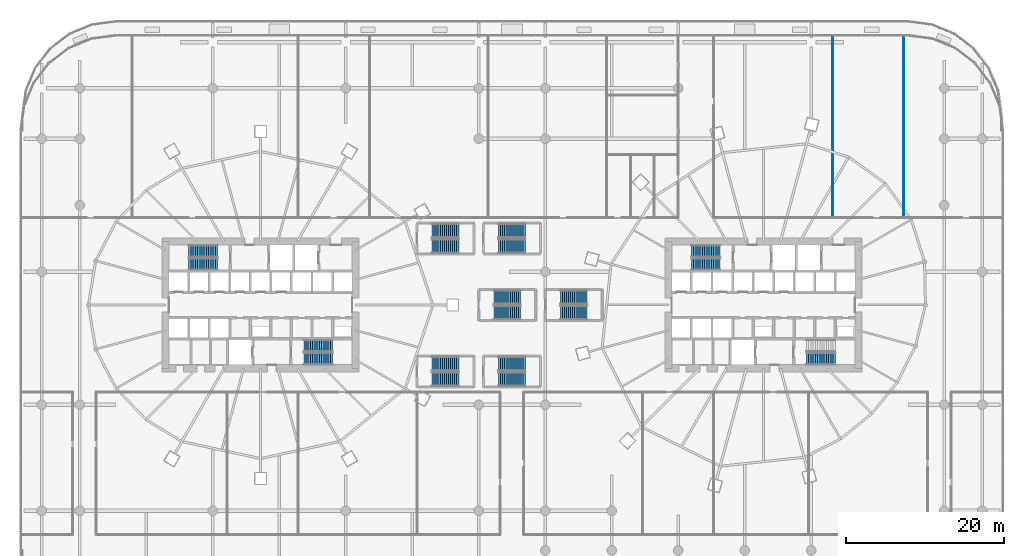
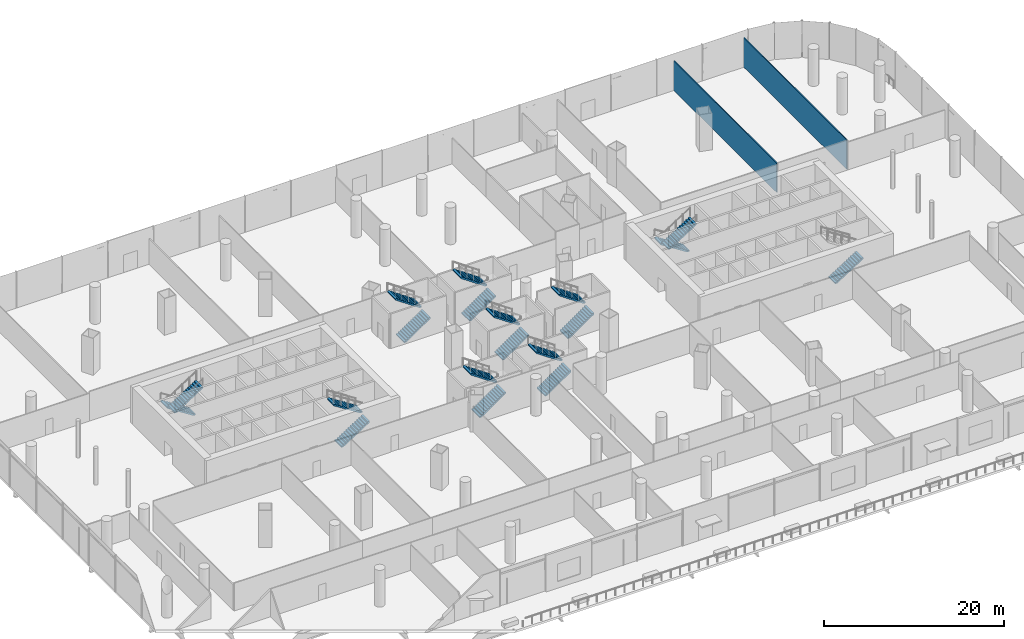
# One storey, part 42 of 51: 19 stair flights, 2 walls, 10 elements without a shape of their own.
"""IFC4 building model written with IfcOpenShell, lengths in metres."""

from ifc_helpers import new_model, si_unit, direction, frame, frame_2d, origin, place, context, subcontext, project, spatial, polyline, rectangle, outline, extrude, material, layer, layer_set, type_object, element, aggregate, save


model = new_model("IFC4")

# Units and contexts
model_context = context("Model", 3, precision=1e-05, world=origin(), true_north=direction((0.0, 1.0)))
body_context = subcontext(model_context, "Body", "Model", "MODEL_VIEW")
ifc_project = project(units=[si_unit("LENGTHUNIT", "METRE"), si_unit("AREAUNIT", "SQUARE_METRE"), si_unit("VOLUMEUNIT", "CUBIC_METRE"), si_unit("PLANEANGLEUNIT", "RADIAN"), si_unit("MASSUNIT", "GRAM", prefix="KILO")], contexts=[model_context])

# Site, building, storey
site_placement = place(None, origin())
site = spatial("IfcSite", under=ifc_project, at=site_placement, CompositionType="ELEMENT")
building_placement = place(site_placement, origin())
building = spatial("IfcBuilding", under=site, at=building_placement, Name="Rimbun Link Towers", CompositionType="ELEMENT")
storey_placement = place(building_placement, frame((0.0, 0.0, 7.0)))
storey = spatial("IfcBuildingStorey", under=building, at=storey_placement, Name="L01", CompositionType="ELEMENT", Elevation=7.0)

# Walls
ifc_material_1 = material(Name="Gypsum board on steel studs", Category="steel")
ifc_layer = layer(ifc_material_1, 0.125)
ifc_layer_set = layer_set([ifc_layer], Name="Partition 125 board on studs")
wall_type = type_object("IfcWallType", Name="Partition 125 board on studs", PredefinedType="PARTITIONING", material=ifc_layer_set)
for number, where, z_axis, x_axis, name in (
    (1, (40.5, 11.0625, 0.0), (0.0, 0.0, 1.0), (0.0, 1.0, 0.0), "PD/PW/L01/104"),
    (2, (49.5, 11.0625, 0.0), (0.0, 0.0, 1.0), (0.0, 1.0, 0.0), "PD/PW/L01/105"),
):
    element("IfcWall", number, at=place(storey_placement, frame(where, z_axis=z_axis, x_axis=x_axis)), inside=storey, type_object=wall_type, Name=name, PredefinedType="PARTITIONING", context=body_context, shape_type="SweptSolid", body=[
        extrude(rectangle(XDim=23.017578125, YDim=0.125, at=frame_2d((11.5087890625, 0.0))), origin(), (0.0, 0.0, 1.0), 3.99609375),
    ])

# Stair, stair flights
ifc_material_2 = material(Name="Concrete C40/50", Category="concrete")
stair_type_1 = type_object("IfcStairType", Name="Exit stair 5000 rise", PredefinedType="HALF_TURN_STAIR", material=ifc_material_2)
stair_1_placement = place(storey_placement, origin())
stair_1 = element("IfcStair", 3, at=stair_1_placement, inside=storey, type_object=stair_type_1, Name="L01 EXIT STAIR A", PredefinedType="HALF_TURN_STAIR")
ifc_material_3 = material(Name="Concrete C40/50", Category="concrete")
stair_flight_type_1 = type_object("IfcStairFlightType", Name="Exit stair flight 5000 rise", PredefinedType="STRAIGHT", material=ifc_material_3)
stair_flight_1_placement = place(storey_placement, frame((-37.199951171875, 6.800048828125, 0.0), z_axis=(0.0, 0.0, 1.0), x_axis=(-1.0, 0.0, 0.0)))
stair_flight_1 = element("IfcStairFlight", 4, at=stair_flight_1_placement, type_object=stair_flight_type_1, Name="ST1 flight 1", NumberOfRisers=14, NumberOfTreads=13, PredefinedType="STRAIGHT", RiserHeight=0.178571429, TreadLength=0.28, context=body_context, shape_type="SweptSolid", body=[
    extrude(outline(polyline([(0.0, 0.0), (0.0, 0.178466796875), (0.280029296875, 0.178466796875), (0.280029296875, 0.357177734375), (0.56005859375, 0.357177734375), (0.56005859375, 0.53564453125), (0.840087890625, 0.53564453125), (0.840087890625, 0.71435546875), (1.1201171875, 0.71435546875), (1.1201171875, 0.892822265625), (1.39990234375, 0.892822265625), (1.39990234375, 1.071533203125), (1.679931640625, 1.071533203125), (1.679931640625, 1.25), (1.9599609375, 1.25), (1.9599609375, 1.428466796875), (2.239990234375, 1.428466796875), (2.239990234375, 1.607177734375), (2.52001953125, 1.607177734375), (2.52001953125, 1.78564453125), (2.800048828125, 1.78564453125), (2.800048828125, 1.96435546875), (3.080078125, 1.96435546875), (3.080078125, 2.142822265625), (3.360107421875, 2.142822265625), (3.360107421875, 2.321533203125), (3.639892578125, 2.321533203125), (3.639892578125, 2.5), (3.639892578125, 2.1435546875), (0.280029296875, 0.0), (0.0, 0.0)])), frame((0.0, 0.75, 0.0), z_axis=(0.0, -1.0, 0.0), x_axis=(1.0, 0.0, 0.0)), (0.0, 0.0, 1.0), 1.5),
])
stair_flight_2_placement = place(storey_placement, frame((-40.840087890625, 5.14990234375, 2.5), z_axis=(0.0, 0.0, 1.0), x_axis=(1.0, 0.0, 0.0)))
stair_flight_2 = element("IfcStairFlight", 5, at=stair_flight_2_placement, type_object=stair_flight_type_1, Name="ST1 flight 2", NumberOfRisers=14, NumberOfTreads=13, PredefinedType="STRAIGHT", RiserHeight=0.178571429, TreadLength=0.28, context=body_context, shape_type="SweptSolid", body=[
    extrude(outline(polyline([(0.0, 0.0), (0.0, 0.178466796875), (0.280029296875, 0.178466796875), (0.280029296875, 0.357177734375), (0.56005859375, 0.357177734375), (0.56005859375, 0.53564453125), (0.840087890625, 0.53564453125), (0.840087890625, 0.71435546875), (1.1201171875, 0.71435546875), (1.1201171875, 0.892822265625), (1.39990234375, 0.892822265625), (1.39990234375, 1.071533203125), (1.679931640625, 1.071533203125), (1.679931640625, 1.25), (1.9599609375, 1.25), (1.9599609375, 1.428466796875), (2.239990234375, 1.428466796875), (2.239990234375, 1.607177734375), (2.52001953125, 1.607177734375), (2.52001953125, 1.78564453125), (2.800048828125, 1.78564453125), (2.800048828125, 1.96435546875), (3.080078125, 1.96435546875), (3.080078125, 2.142822265625), (3.360107421875, 2.142822265625), (3.360107421875, 2.321533203125), (3.639892578125, 2.321533203125), (3.639892578125, 2.5), (3.639892578125, 2.1435546875), (0.280029296875, 0.0), (0.0, 0.0)])), frame((0.0, 0.75, 0.0), z_axis=(0.0, -1.0, 0.0), x_axis=(1.0, 0.0, 0.0)), (0.0, 0.0, 1.0), 1.5),
])
aggregate(stair_1, [stair_flight_1, stair_flight_2])

stair_2_placement = place(storey_placement, origin())
stair_2 = element("IfcStair", 6, at=stair_2_placement, inside=storey, type_object=stair_type_1, Name="L01 EXIT STAIR B", PredefinedType="HALF_TURN_STAIR")
stair_flight_3_placement = place(storey_placement, frame((-26.300048828125, -6.800048828125, 0.0), z_axis=(0.0, 0.0, 1.0), x_axis=(1.0, 0.0, 0.0)))
stair_flight_3 = element("IfcStairFlight", 7, at=stair_flight_3_placement, type_object=stair_flight_type_1, Name="ST2 flight 1", NumberOfRisers=14, NumberOfTreads=13, PredefinedType="STRAIGHT", RiserHeight=0.178571429, TreadLength=0.28, context=body_context, shape_type="SweptSolid", body=[
    extrude(outline(polyline([(0.0, 0.0), (0.0, 0.178466796875), (0.280029296875, 0.178466796875), (0.280029296875, 0.357177734375), (0.56005859375, 0.357177734375), (0.56005859375, 0.53564453125), (0.840087890625, 0.53564453125), (0.840087890625, 0.71435546875), (1.1201171875, 0.71435546875), (1.1201171875, 0.892822265625), (1.39990234375, 0.892822265625), (1.39990234375, 1.071533203125), (1.679931640625, 1.071533203125), (1.679931640625, 1.25), (1.9599609375, 1.25), (1.9599609375, 1.428466796875), (2.239990234375, 1.428466796875), (2.239990234375, 1.607177734375), (2.52001953125, 1.607177734375), (2.52001953125, 1.78564453125), (2.800048828125, 1.78564453125), (2.800048828125, 1.96435546875), (3.080078125, 1.96435546875), (3.080078125, 2.142822265625), (3.360107421875, 2.142822265625), (3.360107421875, 2.321533203125), (3.639892578125, 2.321533203125), (3.639892578125, 2.5), (3.639892578125, 2.1435546875), (0.280029296875, 0.0), (0.0, 0.0)])), frame((0.0, 0.75, 0.0), z_axis=(0.0, -1.0, 0.0), x_axis=(1.0, 0.0, 0.0)), (0.0, 0.0, 1.0), 1.5),
])
stair_flight_4_placement = place(storey_placement, frame((-22.659912109375, -5.14990234375, 2.5), z_axis=(0.0, 0.0, 1.0), x_axis=(-1.0, 0.0, 0.0)))
stair_flight_4 = element("IfcStairFlight", 8, at=stair_flight_4_placement, type_object=stair_flight_type_1, Name="ST2 flight 2", NumberOfRisers=14, NumberOfTreads=13, PredefinedType="STRAIGHT", RiserHeight=0.178571429, TreadLength=0.28, context=body_context, shape_type="SweptSolid", body=[
    extrude(outline(polyline([(0.0, 0.0), (0.0, 0.178466796875), (0.280029296875, 0.178466796875), (0.280029296875, 0.357177734375), (0.56005859375, 0.357177734375), (0.56005859375, 0.53564453125), (0.840087890625, 0.53564453125), (0.840087890625, 0.71435546875), (1.1201171875, 0.71435546875), (1.1201171875, 0.892822265625), (1.39990234375, 0.892822265625), (1.39990234375, 1.071533203125), (1.679931640625, 1.071533203125), (1.679931640625, 1.25), (1.9599609375, 1.25), (1.9599609375, 1.428466796875), (2.239990234375, 1.428466796875), (2.239990234375, 1.607177734375), (2.52001953125, 1.607177734375), (2.52001953125, 1.78564453125), (2.800048828125, 1.78564453125), (2.800048828125, 1.96435546875), (3.080078125, 1.96435546875), (3.080078125, 2.142822265625), (3.360107421875, 2.142822265625), (3.360107421875, 2.321533203125), (3.639892578125, 2.321533203125), (3.639892578125, 2.5), (3.639892578125, 2.1435546875), (0.280029296875, 0.0), (0.0, 0.0)])), frame((0.0, 0.75, 0.0), z_axis=(0.0, -1.0, 0.0), x_axis=(1.0, 0.0, 0.0)), (0.0, 0.0, 1.0), 1.5),
])
aggregate(stair_2, [stair_flight_3, stair_flight_4])

stair_3_placement = place(storey_placement, origin())
stair_3 = element("IfcStair", 9, at=stair_3_placement, inside=storey, type_object=stair_type_1, Name="L01 EXIT STAIR A", PredefinedType="HALF_TURN_STAIR")
stair_flight_5_placement = place(storey_placement, frame((26.300048828125, 6.800048828125, 0.0), z_axis=(0.0, 0.0, 1.0), x_axis=(-1.0, 0.0, 0.0)))
stair_flight_5 = element("IfcStairFlight", 10, at=stair_flight_5_placement, type_object=stair_flight_type_1, Name="ST3 flight 1", NumberOfRisers=14, NumberOfTreads=13, PredefinedType="STRAIGHT", RiserHeight=0.178571429, TreadLength=0.28, context=body_context, shape_type="SweptSolid", body=[
    extrude(outline(polyline([(0.0, 0.0), (0.0, 0.178466796875), (0.280029296875, 0.178466796875), (0.280029296875, 0.357177734375), (0.56005859375, 0.357177734375), (0.56005859375, 0.53564453125), (0.840087890625, 0.53564453125), (0.840087890625, 0.71435546875), (1.1201171875, 0.71435546875), (1.1201171875, 0.892822265625), (1.39990234375, 0.892822265625), (1.39990234375, 1.071533203125), (1.679931640625, 1.071533203125), (1.679931640625, 1.25), (1.9599609375, 1.25), (1.9599609375, 1.428466796875), (2.239990234375, 1.428466796875), (2.239990234375, 1.607177734375), (2.52001953125, 1.607177734375), (2.52001953125, 1.78564453125), (2.800048828125, 1.78564453125), (2.800048828125, 1.96435546875), (3.080078125, 1.96435546875), (3.080078125, 2.142822265625), (3.360107421875, 2.142822265625), (3.360107421875, 2.321533203125), (3.639892578125, 2.321533203125), (3.639892578125, 2.5), (3.639892578125, 2.1435546875), (0.280029296875, 0.0), (0.0, 0.0)])), frame((0.0, 0.75, 0.0), z_axis=(0.0, -1.0, 0.0), x_axis=(1.0, 0.0, 0.0)), (0.0, 0.0, 1.0), 1.5),
])
stair_flight_6_placement = place(storey_placement, frame((22.659912109375, 5.14990234375, 2.5), z_axis=(0.0, 0.0, 1.0), x_axis=(1.0, 0.0, 0.0)))
stair_flight_6 = element("IfcStairFlight", 11, at=stair_flight_6_placement, type_object=stair_flight_type_1, Name="ST3 flight 2", NumberOfRisers=14, NumberOfTreads=13, PredefinedType="STRAIGHT", RiserHeight=0.178571429, TreadLength=0.28, context=body_context, shape_type="SweptSolid", body=[
    extrude(outline(polyline([(0.0, 0.0), (0.0, 0.178466796875), (0.280029296875, 0.178466796875), (0.280029296875, 0.357177734375), (0.56005859375, 0.357177734375), (0.56005859375, 0.53564453125), (0.840087890625, 0.53564453125), (0.840087890625, 0.71435546875), (1.1201171875, 0.71435546875), (1.1201171875, 0.892822265625), (1.39990234375, 0.892822265625), (1.39990234375, 1.071533203125), (1.679931640625, 1.071533203125), (1.679931640625, 1.25), (1.9599609375, 1.25), (1.9599609375, 1.428466796875), (2.239990234375, 1.428466796875), (2.239990234375, 1.607177734375), (2.52001953125, 1.607177734375), (2.52001953125, 1.78564453125), (2.800048828125, 1.78564453125), (2.800048828125, 1.96435546875), (3.080078125, 1.96435546875), (3.080078125, 2.142822265625), (3.360107421875, 2.142822265625), (3.360107421875, 2.321533203125), (3.639892578125, 2.321533203125), (3.639892578125, 2.5), (3.639892578125, 2.1435546875), (0.280029296875, 0.0), (0.0, 0.0)])), frame((0.0, 0.75, 0.0), z_axis=(0.0, -1.0, 0.0), x_axis=(1.0, 0.0, 0.0)), (0.0, 0.0, 1.0), 1.5),
])
aggregate(stair_3, [stair_flight_5, stair_flight_6])

# Stair, stair flight
stair_4_placement = place(storey_placement, origin())
stair_4 = element("IfcStair", 12, at=stair_4_placement, inside=storey, type_object=stair_type_1, Name="L01 EXIT STAIR B", PredefinedType="HALF_TURN_STAIR")
stair_flight_7_placement = place(storey_placement, frame((37.199951171875, -6.800048828125, 0.0), z_axis=(0.0, 0.0, 1.0), x_axis=(1.0, 0.0, 0.0)))
stair_flight_7 = element("IfcStairFlight", 13, at=stair_flight_7_placement, type_object=stair_flight_type_1, Name="ST4 flight 1", NumberOfRisers=14, NumberOfTreads=13, PredefinedType="STRAIGHT", RiserHeight=0.178571429, TreadLength=0.28, context=body_context, shape_type="SweptSolid", body=[
    extrude(outline(polyline([(0.0, 0.0), (0.0, 0.178466796875), (0.280029296875, 0.178466796875), (0.280029296875, 0.357177734375), (0.56005859375, 0.357177734375), (0.56005859375, 0.53564453125), (0.840087890625, 0.53564453125), (0.840087890625, 0.71435546875), (1.1201171875, 0.71435546875), (1.1201171875, 0.892822265625), (1.39990234375, 0.892822265625), (1.39990234375, 1.071533203125), (1.679931640625, 1.071533203125), (1.679931640625, 1.25), (1.9599609375, 1.25), (1.9599609375, 1.428466796875), (2.239990234375, 1.428466796875), (2.239990234375, 1.607177734375), (2.52001953125, 1.607177734375), (2.52001953125, 1.78564453125), (2.800048828125, 1.78564453125), (2.800048828125, 1.96435546875), (3.080078125, 1.96435546875), (3.080078125, 2.142822265625), (3.360107421875, 2.142822265625), (3.360107421875, 2.321533203125), (3.639892578125, 2.321533203125), (3.639892578125, 2.5), (3.639892578125, 2.1435546875), (0.280029296875, 0.0), (0.0, 0.0)])), frame((0.0, 0.75, 0.0), z_axis=(0.0, -1.0, 0.0), x_axis=(1.0, 0.0, 0.0)), (0.0, 0.0, 1.0), 1.5),
])
aggregate(stair_4, [stair_flight_7])

# Stair, stair flights
ifc_material_4 = material(Name="Concrete C40/50", Category="concrete")
stair_type_2 = type_object("IfcStairType", Name="Podium exit stair 1800", PredefinedType="HALF_TURN_STAIR", material=ifc_material_4)
stair_5_placement = place(storey_placement, origin())
stair_5 = element("IfcStair", 14, at=stair_5_placement, inside=storey, type_object=stair_type_2, Name="L01 PODIUM EXIT STAIR", PredefinedType="HALF_TURN_STAIR")
ifc_material_5 = material(Name="Concrete C40/50", Category="concrete")
stair_flight_type_2 = type_object("IfcStairFlightType", Name="Podium exit stair flight 1800", PredefinedType="STRAIGHT", material=ifc_material_5)
stair_flight_8_placement = place(storey_placement, frame((-10.10009765625, -9.375, 0.0), z_axis=(0.0, 0.0, 1.0), x_axis=(1.0, 0.0, 0.0)))
stair_flight_8 = element("IfcStairFlight", 15, at=stair_flight_8_placement, type_object=stair_flight_type_2, Name="PS1 flight 1", NumberOfRisers=14, NumberOfTreads=13, PredefinedType="STRAIGHT", RiserHeight=0.178571429, TreadLength=0.26, context=body_context, shape_type="SweptSolid", body=[
    extrude(outline(polyline([(0.0, 0.0), (0.0, 0.178466796875), (0.260009765625, 0.178466796875), (0.260009765625, 0.357177734375), (0.52001953125, 0.357177734375), (0.52001953125, 0.53564453125), (0.780029296875, 0.53564453125), (0.780029296875, 0.71435546875), (1.0400390625, 0.71435546875), (1.0400390625, 0.892822265625), (1.300048828125, 0.892822265625), (1.300048828125, 1.071533203125), (1.56005859375, 1.071533203125), (1.56005859375, 1.25), (1.820068359375, 1.25), (1.820068359375, 1.428466796875), (2.080078125, 1.428466796875), (2.080078125, 1.607177734375), (2.340087890625, 1.607177734375), (2.340087890625, 1.78564453125), (2.60009765625, 1.78564453125), (2.60009765625, 1.96435546875), (2.860107421875, 1.96435546875), (2.860107421875, 2.142822265625), (3.1201171875, 2.142822265625), (3.1201171875, 2.321533203125), (3.3798828125, 2.321533203125), (3.3798828125, 2.5), (3.3798828125, 2.1396484375), (0.260009765625, 0.0), (0.0, 0.0)])), frame((0.0, 0.89990234375, 0.0), z_axis=(0.0, -1.0, 0.0), x_axis=(1.0, 0.0, 0.0)), (0.0, 0.0, 1.0), 1.800048828125),
])
stair_flight_9_placement = place(storey_placement, frame((-6.719970703125, -7.425048828125, 2.5), z_axis=(0.0, 0.0, 1.0), x_axis=(-1.0, 0.0, 0.0)))
stair_flight_9 = element("IfcStairFlight", 16, at=stair_flight_9_placement, type_object=stair_flight_type_2, Name="PS1 flight 2", NumberOfRisers=14, NumberOfTreads=13, PredefinedType="STRAIGHT", RiserHeight=0.178571429, TreadLength=0.26, context=body_context, shape_type="SweptSolid", body=[
    extrude(outline(polyline([(0.0, 0.0), (0.0, 0.178466796875), (0.260009765625, 0.178466796875), (0.260009765625, 0.357177734375), (0.52001953125, 0.357177734375), (0.52001953125, 0.53564453125), (0.780029296875, 0.53564453125), (0.780029296875, 0.71435546875), (1.0400390625, 0.71435546875), (1.0400390625, 0.892822265625), (1.300048828125, 0.892822265625), (1.300048828125, 1.071533203125), (1.56005859375, 1.071533203125), (1.56005859375, 1.25), (1.820068359375, 1.25), (1.820068359375, 1.428466796875), (2.080078125, 1.428466796875), (2.080078125, 1.607177734375), (2.340087890625, 1.607177734375), (2.340087890625, 1.78564453125), (2.60009765625, 1.78564453125), (2.60009765625, 1.96435546875), (2.860107421875, 1.96435546875), (2.860107421875, 2.142822265625), (3.1201171875, 2.142822265625), (3.1201171875, 2.321533203125), (3.3798828125, 2.321533203125), (3.3798828125, 2.5), (3.3798828125, 2.1396484375), (0.260009765625, 0.0), (0.0, 0.0)])), frame((0.0, 0.89990234375, 0.0), z_axis=(0.0, -1.0, 0.0), x_axis=(1.0, 0.0, 0.0)), (0.0, 0.0, 1.0), 1.800048828125),
])
aggregate(stair_5, [stair_flight_8, stair_flight_9])

stair_6_placement = place(storey_placement, origin())
stair_6 = element("IfcStair", 17, at=stair_6_placement, inside=storey, type_object=stair_type_2, Name="L01 PODIUM EXIT STAIR", PredefinedType="HALF_TURN_STAIR")
stair_flight_10_placement = place(storey_placement, frame((-1.699951171875, -9.375, 0.0), z_axis=(0.0, 0.0, 1.0), x_axis=(1.0, 0.0, 0.0)))
stair_flight_10 = element("IfcStairFlight", 18, at=stair_flight_10_placement, type_object=stair_flight_type_2, Name="PS2 flight 1", NumberOfRisers=14, NumberOfTreads=13, PredefinedType="STRAIGHT", RiserHeight=0.178571429, TreadLength=0.26, context=body_context, shape_type="SweptSolid", body=[
    extrude(outline(polyline([(0.0, 0.0), (0.0, 0.178466796875), (0.260009765625, 0.178466796875), (0.260009765625, 0.357177734375), (0.52001953125, 0.357177734375), (0.52001953125, 0.53564453125), (0.780029296875, 0.53564453125), (0.780029296875, 0.71435546875), (1.0400390625, 0.71435546875), (1.0400390625, 0.892822265625), (1.300048828125, 0.892822265625), (1.300048828125, 1.071533203125), (1.56005859375, 1.071533203125), (1.56005859375, 1.25), (1.820068359375, 1.25), (1.820068359375, 1.428466796875), (2.080078125, 1.428466796875), (2.080078125, 1.607177734375), (2.340087890625, 1.607177734375), (2.340087890625, 1.78564453125), (2.60009765625, 1.78564453125), (2.60009765625, 1.96435546875), (2.860107421875, 1.96435546875), (2.860107421875, 2.142822265625), (3.1201171875, 2.142822265625), (3.1201171875, 2.321533203125), (3.3798828125, 2.321533203125), (3.3798828125, 2.5), (3.3798828125, 2.1396484375), (0.260009765625, 0.0), (0.0, 0.0)])), frame((0.0, 0.89990234375, 0.0), z_axis=(0.0, -1.0, 0.0), x_axis=(1.0, 0.0, 0.0)), (0.0, 0.0, 1.0), 1.800048828125),
])
stair_flight_11_placement = place(storey_placement, frame((1.679931640625, -7.425048828125, 2.5), z_axis=(0.0, 0.0, 1.0), x_axis=(-1.0, 0.0, 0.0)))
stair_flight_11 = element("IfcStairFlight", 19, at=stair_flight_11_placement, type_object=stair_flight_type_2, Name="PS2 flight 2", NumberOfRisers=14, NumberOfTreads=13, PredefinedType="STRAIGHT", RiserHeight=0.178571429, TreadLength=0.26, context=body_context, shape_type="SweptSolid", body=[
    extrude(outline(polyline([(0.0, 0.0), (0.0, 0.178466796875), (0.260009765625, 0.178466796875), (0.260009765625, 0.357177734375), (0.52001953125, 0.357177734375), (0.52001953125, 0.53564453125), (0.780029296875, 0.53564453125), (0.780029296875, 0.71435546875), (1.0400390625, 0.71435546875), (1.0400390625, 0.892822265625), (1.300048828125, 0.892822265625), (1.300048828125, 1.071533203125), (1.56005859375, 1.071533203125), (1.56005859375, 1.25), (1.820068359375, 1.25), (1.820068359375, 1.428466796875), (2.080078125, 1.428466796875), (2.080078125, 1.607177734375), (2.340087890625, 1.607177734375), (2.340087890625, 1.78564453125), (2.60009765625, 1.78564453125), (2.60009765625, 1.96435546875), (2.860107421875, 1.96435546875), (2.860107421875, 2.142822265625), (3.1201171875, 2.142822265625), (3.1201171875, 2.321533203125), (3.3798828125, 2.321533203125), (3.3798828125, 2.5), (3.3798828125, 2.1396484375), (0.260009765625, 0.0), (0.0, 0.0)])), frame((0.0, 0.89990234375, 0.0), z_axis=(0.0, -1.0, 0.0), x_axis=(1.0, 0.0, 0.0)), (0.0, 0.0, 1.0), 1.800048828125),
])
aggregate(stair_6, [stair_flight_10, stair_flight_11])

stair_7_placement = place(storey_placement, origin())
stair_7 = element("IfcStair", 20, at=stair_7_placement, inside=storey, type_object=stair_type_2, Name="L01 PODIUM EXIT STAIR", PredefinedType="HALF_TURN_STAIR")
stair_flight_12_placement = place(storey_placement, frame((-10.10009765625, 7.425048828125, 0.0), z_axis=(0.0, 0.0, 1.0), x_axis=(1.0, 0.0, 0.0)))
stair_flight_12 = element("IfcStairFlight", 21, at=stair_flight_12_placement, type_object=stair_flight_type_2, Name="PS3 flight 1", NumberOfRisers=14, NumberOfTreads=13, PredefinedType="STRAIGHT", RiserHeight=0.178571429, TreadLength=0.26, context=body_context, shape_type="SweptSolid", body=[
    extrude(outline(polyline([(0.0, 0.0), (0.0, 0.178466796875), (0.260009765625, 0.178466796875), (0.260009765625, 0.357177734375), (0.52001953125, 0.357177734375), (0.52001953125, 0.53564453125), (0.780029296875, 0.53564453125), (0.780029296875, 0.71435546875), (1.0400390625, 0.71435546875), (1.0400390625, 0.892822265625), (1.300048828125, 0.892822265625), (1.300048828125, 1.071533203125), (1.56005859375, 1.071533203125), (1.56005859375, 1.25), (1.820068359375, 1.25), (1.820068359375, 1.428466796875), (2.080078125, 1.428466796875), (2.080078125, 1.607177734375), (2.340087890625, 1.607177734375), (2.340087890625, 1.78564453125), (2.60009765625, 1.78564453125), (2.60009765625, 1.96435546875), (2.860107421875, 1.96435546875), (2.860107421875, 2.142822265625), (3.1201171875, 2.142822265625), (3.1201171875, 2.321533203125), (3.3798828125, 2.321533203125), (3.3798828125, 2.5), (3.3798828125, 2.1396484375), (0.260009765625, 0.0), (0.0, 0.0)])), frame((0.0, 0.89990234375, 0.0), z_axis=(0.0, -1.0, 0.0), x_axis=(1.0, 0.0, 0.0)), (0.0, 0.0, 1.0), 1.800048828125),
])
stair_flight_13_placement = place(storey_placement, frame((-6.719970703125, 9.375, 2.5), z_axis=(0.0, 0.0, 1.0), x_axis=(-1.0, 0.0, 0.0)))
stair_flight_13 = element("IfcStairFlight", 22, at=stair_flight_13_placement, type_object=stair_flight_type_2, Name="PS3 flight 2", NumberOfRisers=14, NumberOfTreads=13, PredefinedType="STRAIGHT", RiserHeight=0.178571429, TreadLength=0.26, context=body_context, shape_type="SweptSolid", body=[
    extrude(outline(polyline([(0.0, 0.0), (0.0, 0.178466796875), (0.260009765625, 0.178466796875), (0.260009765625, 0.357177734375), (0.52001953125, 0.357177734375), (0.52001953125, 0.53564453125), (0.780029296875, 0.53564453125), (0.780029296875, 0.71435546875), (1.0400390625, 0.71435546875), (1.0400390625, 0.892822265625), (1.300048828125, 0.892822265625), (1.300048828125, 1.071533203125), (1.56005859375, 1.071533203125), (1.56005859375, 1.25), (1.820068359375, 1.25), (1.820068359375, 1.428466796875), (2.080078125, 1.428466796875), (2.080078125, 1.607177734375), (2.340087890625, 1.607177734375), (2.340087890625, 1.78564453125), (2.60009765625, 1.78564453125), (2.60009765625, 1.96435546875), (2.860107421875, 1.96435546875), (2.860107421875, 2.142822265625), (3.1201171875, 2.142822265625), (3.1201171875, 2.321533203125), (3.3798828125, 2.321533203125), (3.3798828125, 2.5), (3.3798828125, 2.1396484375), (0.260009765625, 0.0), (0.0, 0.0)])), frame((0.0, 0.89990234375, 0.0), z_axis=(0.0, -1.0, 0.0), x_axis=(1.0, 0.0, 0.0)), (0.0, 0.0, 1.0), 1.800048828125),
])
aggregate(stair_7, [stair_flight_12, stair_flight_13])

stair_8_placement = place(storey_placement, origin())
stair_8 = element("IfcStair", 23, at=stair_8_placement, inside=storey, type_object=stair_type_2, Name="L01 PODIUM EXIT STAIR", PredefinedType="HALF_TURN_STAIR")
stair_flight_14_placement = place(storey_placement, frame((-1.699951171875, 7.425048828125, 0.0), z_axis=(0.0, 0.0, 1.0), x_axis=(1.0, 0.0, 0.0)))
stair_flight_14 = element("IfcStairFlight", 24, at=stair_flight_14_placement, type_object=stair_flight_type_2, Name="PS4 flight 1", NumberOfRisers=14, NumberOfTreads=13, PredefinedType="STRAIGHT", RiserHeight=0.178571429, TreadLength=0.26, context=body_context, shape_type="SweptSolid", body=[
    extrude(outline(polyline([(0.0, 0.0), (0.0, 0.178466796875), (0.260009765625, 0.178466796875), (0.260009765625, 0.357177734375), (0.52001953125, 0.357177734375), (0.52001953125, 0.53564453125), (0.780029296875, 0.53564453125), (0.780029296875, 0.71435546875), (1.0400390625, 0.71435546875), (1.0400390625, 0.892822265625), (1.300048828125, 0.892822265625), (1.300048828125, 1.071533203125), (1.56005859375, 1.071533203125), (1.56005859375, 1.25), (1.820068359375, 1.25), (1.820068359375, 1.428466796875), (2.080078125, 1.428466796875), (2.080078125, 1.607177734375), (2.340087890625, 1.607177734375), (2.340087890625, 1.78564453125), (2.60009765625, 1.78564453125), (2.60009765625, 1.96435546875), (2.860107421875, 1.96435546875), (2.860107421875, 2.142822265625), (3.1201171875, 2.142822265625), (3.1201171875, 2.321533203125), (3.3798828125, 2.321533203125), (3.3798828125, 2.5), (3.3798828125, 2.1396484375), (0.260009765625, 0.0), (0.0, 0.0)])), frame((0.0, 0.89990234375, 0.0), z_axis=(0.0, -1.0, 0.0), x_axis=(1.0, 0.0, 0.0)), (0.0, 0.0, 1.0), 1.800048828125),
])
stair_flight_15_placement = place(storey_placement, frame((1.679931640625, 9.375, 2.5), z_axis=(0.0, 0.0, 1.0), x_axis=(-1.0, 0.0, 0.0)))
stair_flight_15 = element("IfcStairFlight", 25, at=stair_flight_15_placement, type_object=stair_flight_type_2, Name="PS4 flight 2", NumberOfRisers=14, NumberOfTreads=13, PredefinedType="STRAIGHT", RiserHeight=0.178571429, TreadLength=0.26, context=body_context, shape_type="SweptSolid", body=[
    extrude(outline(polyline([(0.0, 0.0), (0.0, 0.178466796875), (0.260009765625, 0.178466796875), (0.260009765625, 0.357177734375), (0.52001953125, 0.357177734375), (0.52001953125, 0.53564453125), (0.780029296875, 0.53564453125), (0.780029296875, 0.71435546875), (1.0400390625, 0.71435546875), (1.0400390625, 0.892822265625), (1.300048828125, 0.892822265625), (1.300048828125, 1.071533203125), (1.56005859375, 1.071533203125), (1.56005859375, 1.25), (1.820068359375, 1.25), (1.820068359375, 1.428466796875), (2.080078125, 1.428466796875), (2.080078125, 1.607177734375), (2.340087890625, 1.607177734375), (2.340087890625, 1.78564453125), (2.60009765625, 1.78564453125), (2.60009765625, 1.96435546875), (2.860107421875, 1.96435546875), (2.860107421875, 2.142822265625), (3.1201171875, 2.142822265625), (3.1201171875, 2.321533203125), (3.3798828125, 2.321533203125), (3.3798828125, 2.5), (3.3798828125, 2.1396484375), (0.260009765625, 0.0), (0.0, 0.0)])), frame((0.0, 0.89990234375, 0.0), z_axis=(0.0, -1.0, 0.0), x_axis=(1.0, 0.0, 0.0)), (0.0, 0.0, 1.0), 1.800048828125),
])
aggregate(stair_8, [stair_flight_14, stair_flight_15])

stair_9_placement = place(storey_placement, origin())
stair_9 = element("IfcStair", 26, at=stair_9_placement, inside=storey, type_object=stair_type_2, Name="L01 PODIUM EXIT STAIR", PredefinedType="HALF_TURN_STAIR")
stair_flight_16_placement = place(storey_placement, frame((6.10009765625, -0.97509765625, 0.0), z_axis=(0.0, 0.0, 1.0), x_axis=(1.0, 0.0, 0.0)))
stair_flight_16 = element("IfcStairFlight", 27, at=stair_flight_16_placement, type_object=stair_flight_type_2, Name="PS5 flight 1", NumberOfRisers=14, NumberOfTreads=13, PredefinedType="STRAIGHT", RiserHeight=0.178571429, TreadLength=0.26, context=body_context, shape_type="SweptSolid", body=[
    extrude(outline(polyline([(0.0, 0.0), (0.0, 0.178466796875), (0.260009765625, 0.178466796875), (0.260009765625, 0.357177734375), (0.52001953125, 0.357177734375), (0.52001953125, 0.53564453125), (0.780029296875, 0.53564453125), (0.780029296875, 0.71435546875), (1.0400390625, 0.71435546875), (1.0400390625, 0.892822265625), (1.300048828125, 0.892822265625), (1.300048828125, 1.071533203125), (1.56005859375, 1.071533203125), (1.56005859375, 1.25), (1.820068359375, 1.25), (1.820068359375, 1.428466796875), (2.080078125, 1.428466796875), (2.080078125, 1.607177734375), (2.340087890625, 1.607177734375), (2.340087890625, 1.78564453125), (2.60009765625, 1.78564453125), (2.60009765625, 1.96435546875), (2.860107421875, 1.96435546875), (2.860107421875, 2.142822265625), (3.1201171875, 2.142822265625), (3.1201171875, 2.321533203125), (3.3798828125, 2.321533203125), (3.3798828125, 2.5), (3.3798828125, 2.1396484375), (0.260009765625, 0.0), (0.0, 0.0)])), frame((0.0, 0.89990234375, 0.0), z_axis=(0.0, -1.0, 0.0), x_axis=(1.0, 0.0, 0.0)), (0.0, 0.0, 1.0), 1.800048828125),
])
stair_flight_17_placement = place(storey_placement, frame((9.47998046875, 0.97509765625, 2.5), z_axis=(0.0, 0.0, 1.0), x_axis=(-1.0, 0.0, 0.0)))
stair_flight_17 = element("IfcStairFlight", 28, at=stair_flight_17_placement, type_object=stair_flight_type_2, Name="PS5 flight 2", NumberOfRisers=14, NumberOfTreads=13, PredefinedType="STRAIGHT", RiserHeight=0.178571429, TreadLength=0.26, context=body_context, shape_type="SweptSolid", body=[
    extrude(outline(polyline([(0.0, 0.0), (0.0, 0.178466796875), (0.260009765625, 0.178466796875), (0.260009765625, 0.357177734375), (0.52001953125, 0.357177734375), (0.52001953125, 0.53564453125), (0.780029296875, 0.53564453125), (0.780029296875, 0.71435546875), (1.0400390625, 0.71435546875), (1.0400390625, 0.892822265625), (1.300048828125, 0.892822265625), (1.300048828125, 1.071533203125), (1.56005859375, 1.071533203125), (1.56005859375, 1.25), (1.820068359375, 1.25), (1.820068359375, 1.428466796875), (2.080078125, 1.428466796875), (2.080078125, 1.607177734375), (2.340087890625, 1.607177734375), (2.340087890625, 1.78564453125), (2.60009765625, 1.78564453125), (2.60009765625, 1.96435546875), (2.860107421875, 1.96435546875), (2.860107421875, 2.142822265625), (3.1201171875, 2.142822265625), (3.1201171875, 2.321533203125), (3.3798828125, 2.321533203125), (3.3798828125, 2.5), (3.3798828125, 2.1396484375), (0.260009765625, 0.0), (0.0, 0.0)])), frame((0.0, 0.89990234375, 0.0), z_axis=(0.0, -1.0, 0.0), x_axis=(1.0, 0.0, 0.0)), (0.0, 0.0, 1.0), 1.800048828125),
])
aggregate(stair_9, [stair_flight_16, stair_flight_17])

stair_10_placement = place(storey_placement, origin())
stair_10 = element("IfcStair", 29, at=stair_10_placement, inside=storey, type_object=stair_type_2, Name="L01 PODIUM EXIT STAIR", PredefinedType="HALF_TURN_STAIR")
stair_flight_18_placement = place(storey_placement, frame((-2.300048828125, -0.97509765625, 0.0), z_axis=(0.0, 0.0, 1.0), x_axis=(1.0, 0.0, 0.0)))
stair_flight_18 = element("IfcStairFlight", 30, at=stair_flight_18_placement, type_object=stair_flight_type_2, Name="PS6 flight 1", NumberOfRisers=14, NumberOfTreads=13, PredefinedType="STRAIGHT", RiserHeight=0.178571429, TreadLength=0.26, context=body_context, shape_type="SweptSolid", body=[
    extrude(outline(polyline([(0.0, 0.0), (0.0, 0.178466796875), (0.260009765625, 0.178466796875), (0.260009765625, 0.357177734375), (0.52001953125, 0.357177734375), (0.52001953125, 0.53564453125), (0.780029296875, 0.53564453125), (0.780029296875, 0.71435546875), (1.0400390625, 0.71435546875), (1.0400390625, 0.892822265625), (1.300048828125, 0.892822265625), (1.300048828125, 1.071533203125), (1.56005859375, 1.071533203125), (1.56005859375, 1.25), (1.820068359375, 1.25), (1.820068359375, 1.428466796875), (2.080078125, 1.428466796875), (2.080078125, 1.607177734375), (2.340087890625, 1.607177734375), (2.340087890625, 1.78564453125), (2.60009765625, 1.78564453125), (2.60009765625, 1.96435546875), (2.860107421875, 1.96435546875), (2.860107421875, 2.142822265625), (3.1201171875, 2.142822265625), (3.1201171875, 2.321533203125), (3.3798828125, 2.321533203125), (3.3798828125, 2.5), (3.3798828125, 2.1396484375), (0.260009765625, 0.0), (0.0, 0.0)])), frame((0.0, 0.89990234375, 0.0), z_axis=(0.0, -1.0, 0.0), x_axis=(1.0, 0.0, 0.0)), (0.0, 0.0, 1.0), 1.800048828125),
])
stair_flight_19_placement = place(storey_placement, frame((1.080078125, 0.97509765625, 2.5), z_axis=(0.0, 0.0, 1.0), x_axis=(-1.0, 0.0, 0.0)))
stair_flight_19 = element("IfcStairFlight", 31, at=stair_flight_19_placement, type_object=stair_flight_type_2, Name="PS6 flight 2", NumberOfRisers=14, NumberOfTreads=13, PredefinedType="STRAIGHT", RiserHeight=0.178571429, TreadLength=0.26, context=body_context, shape_type="SweptSolid", body=[
    extrude(outline(polyline([(0.0, 0.0), (0.0, 0.178466796875), (0.260009765625, 0.178466796875), (0.260009765625, 0.357177734375), (0.52001953125, 0.357177734375), (0.52001953125, 0.53564453125), (0.780029296875, 0.53564453125), (0.780029296875, 0.71435546875), (1.0400390625, 0.71435546875), (1.0400390625, 0.892822265625), (1.300048828125, 0.892822265625), (1.300048828125, 1.071533203125), (1.56005859375, 1.071533203125), (1.56005859375, 1.25), (1.820068359375, 1.25), (1.820068359375, 1.428466796875), (2.080078125, 1.428466796875), (2.080078125, 1.607177734375), (2.340087890625, 1.607177734375), (2.340087890625, 1.78564453125), (2.60009765625, 1.78564453125), (2.60009765625, 1.96435546875), (2.860107421875, 1.96435546875), (2.860107421875, 2.142822265625), (3.1201171875, 2.142822265625), (3.1201171875, 2.321533203125), (3.3798828125, 2.321533203125), (3.3798828125, 2.5), (3.3798828125, 2.1396484375), (0.260009765625, 0.0), (0.0, 0.0)])), frame((0.0, 0.89990234375, 0.0), z_axis=(0.0, -1.0, 0.0), x_axis=(1.0, 0.0, 0.0)), (0.0, 0.0, 1.0), 1.800048828125),
])
aggregate(stair_10, [stair_flight_18, stair_flight_19])

save(model, "model.ifc")
